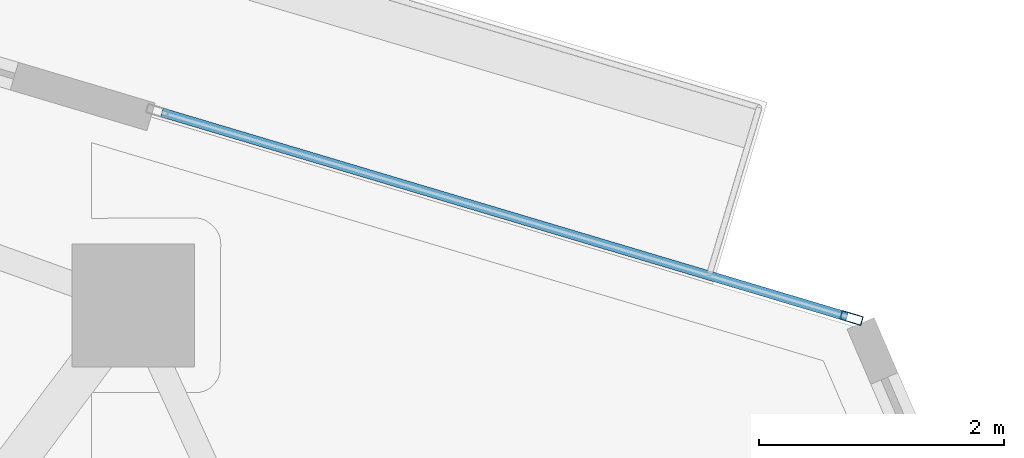
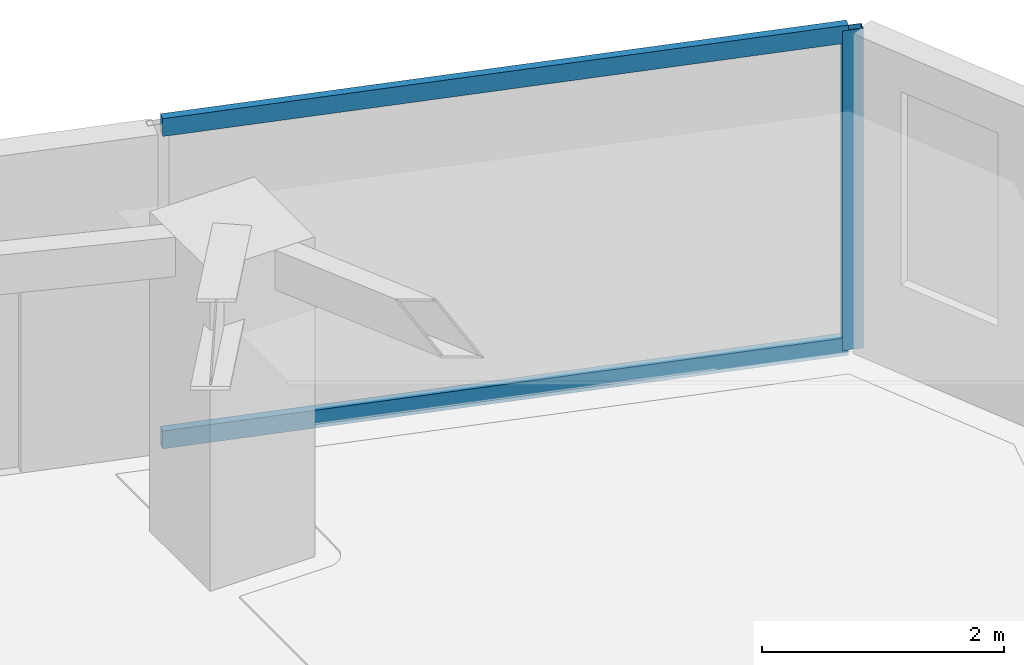
# One storey, part 14 of 21: 3 members, 1 element without a shape of its own.
"""IFC4 building model written with IfcOpenShell, lengths in metres."""

from ifc_helpers import new_model, si_unit, direction, frame, origin, origin_2d, place, context, subcontext, project, spatial, hollow_rectangle, extrude, source, transform, mapped, material, layer, layer_set, material_profile, profile_set, type_object, type_shapes, element, aggregate, save


model = new_model("IFC4")

# Units and contexts
model_context = context("Model", 3, precision=1e-05, world=origin(), true_north=direction((0.0, 1.0)))
body_context = subcontext(model_context, "Body", "Model", "MODEL_VIEW")
ifc_project = project(units=[si_unit("LENGTHUNIT", "METRE"), si_unit("AREAUNIT", "SQUARE_METRE"), si_unit("VOLUMEUNIT", "CUBIC_METRE"), si_unit("PLANEANGLEUNIT", "RADIAN"), si_unit("MASSUNIT", "GRAM", prefix="KILO")], contexts=[model_context])

# Site, building, storey
site_placement = place(None, origin())
site = spatial("IfcSite", under=ifc_project, at=site_placement, CompositionType="ELEMENT")
building_placement = place(site_placement, origin())
building = spatial("IfcBuilding", under=site, at=building_placement, Name="Talar Marvaseh", CompositionType="ELEMENT")
storey_placement = place(building_placement, frame((0.0, 0.0, 184.5)))
storey = spatial("IfcBuildingStorey", under=building, at=storey_placement, Name="L48", CompositionType="ELEMENT", Elevation=184.5)

# Curtain wall, members
ifc_material = material(Name="Architectural Aluminium", Category="aluminium")
ifc_layer = layer(ifc_material, 0.18994140625)
ifc_layer_set = layer_set([ifc_layer], Name="Architectural Aluminium")
curtain_wall_type = type_object("IfcCurtainWallType", Name="Unitised Solar Atelier Curtain Wall Z3", PredefinedType="NOTDEFINED", material=ifc_layer_set)
curtain_wall_placement = place(storey_placement, origin())
curtain_wall = element("IfcCurtainWall", 1, at=curtain_wall_placement, inside=storey, type_object=curtain_wall_type, Name="L48 Unitised Solar Atelier Curtain Wall Z3", PredefinedType="NOTDEFINED")
ifc_material_profile_1 = material_profile(ifc_material, hollow_rectangle(XDim=0.074951171875, YDim=0.179931640625, WallThickness=0.0048828125, at=origin_2d()), Name="RHS180x75x5")
ifc_profile_set_1 = profile_set([ifc_material_profile_1], Name="Architectural Aluminium")
member_type_1 = type_object("IfcMemberType", Name="Unitised Curtain Wall Standard Mullion RHS180x75x5", PredefinedType="MULLION", material=ifc_profile_set_1)
shared_shape_1 = source(origin(), body_context, "Body", "SweptSolid", [
    extrude(hollow_rectangle(XDim=0.074951171875, YDim=0.179931640625, WallThickness=0.0048828125, at=origin_2d()), origin(), (0.0, 0.0, 1.0), 3.22998046875),
])
type_shapes(member_type_1, [shared_shape_1])
member_1_placement = place(storey_placement, frame((42.20068359375, 40.84033203125, 0.0), z_axis=(0.0, 0.0, 1.0), x_axis=(0.285629795133, 0.958340033669, 0.0)))
member_1 = element("IfcMember", 2, at=member_1_placement, type_object=member_type_1, Name="CW-Z3 mullion 2", PredefinedType="MULLION", context=body_context, shape_type="MappedRepresentation", body=[
    mapped(shared_shape_1, transform((0.0, 0.0, 0.0), x_axis=(1.0, 0.0, 0.0), y_axis=(0.0, 1.0, 0.0), z_axis=(0.0, 0.0, 1.0), scale=1.0)),
])
ifc_material_profile_2 = material_profile(ifc_material, hollow_rectangle(XDim=0.074951171875, YDim=0.179931640625, WallThickness=0.0048828125, at=origin_2d()), Name="RHS180x75x5")
ifc_profile_set_2 = profile_set([ifc_material_profile_2], Name="Architectural Aluminium")
member_type_2 = type_object("IfcMemberType", Name="Unitised Curtain Wall Transom RHS180x75x5", PredefinedType="USERDEFINED", material=ifc_profile_set_2)
shared_shape_2 = source(origin(), body_context, "Body", "SweptSolid", [
    extrude(hollow_rectangle(XDim=0.074951171875, YDim=0.179931640625, WallThickness=0.0048828125, at=origin_2d()), origin(), (0.0, 0.0, 1.0), 5.83203125),
])
type_shapes(member_type_2, [shared_shape_2])
member_2_placement = place(storey_placement, frame((36.57568359375, 42.516845703125, 0.03759765625), z_axis=(0.958330593348, -0.285661467217, 0.0), x_axis=(0.285661467217, 0.958330593348, 0.0)))
member_2 = element("IfcMember", 3, at=member_2_placement, type_object=member_type_2, Name="CW-Z3 transom 1.1", ObjectType="TRANSOM", PredefinedType="USERDEFINED", context=body_context, shape_type="MappedRepresentation", body=[
    mapped(shared_shape_2, transform((0.0, 0.0, 0.0), x_axis=(1.0, 0.0, 0.0), y_axis=(0.0, 1.0, 0.0), z_axis=(0.0, 0.0, 1.0), scale=1.0)),
])
member_3_placement = place(storey_placement, frame((36.57568359375, 42.516845703125, 3.1923828125), z_axis=(0.958330593348, -0.285661467217, 0.0), x_axis=(0.285661467217, 0.958330593348, 0.0)))
member_3 = element("IfcMember", 4, at=member_3_placement, type_object=member_type_2, Name="CW-Z3 transom 1.2", ObjectType="TRANSOM", PredefinedType="USERDEFINED", context=body_context, shape_type="MappedRepresentation", body=[
    mapped(shared_shape_2, transform((0.0, 0.0, 0.0), x_axis=(1.0, 0.0, 0.0), y_axis=(0.0, 1.0, 0.0), z_axis=(0.0, 0.0, 1.0), scale=1.0)),
])
aggregate(curtain_wall, [member_1, member_2, member_3])

save(model, "model.ifc")
